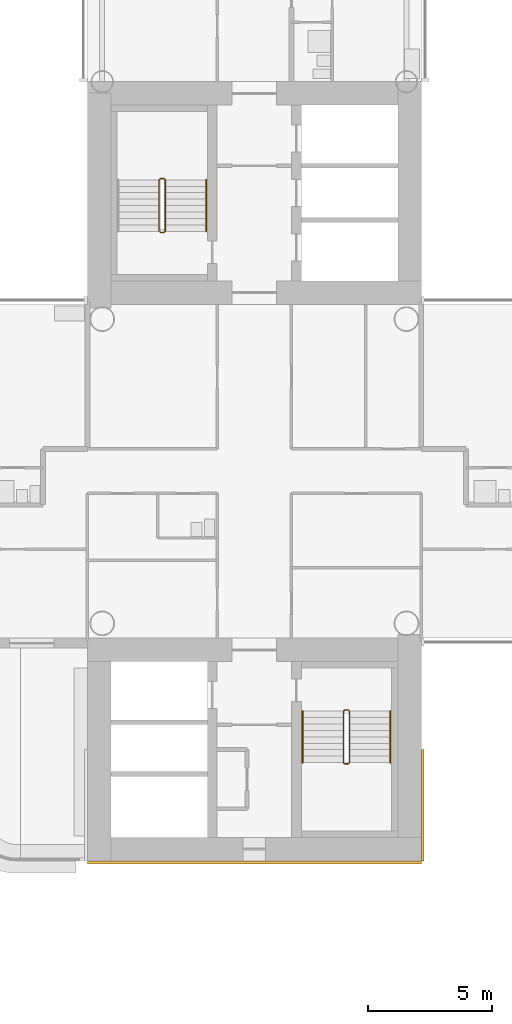
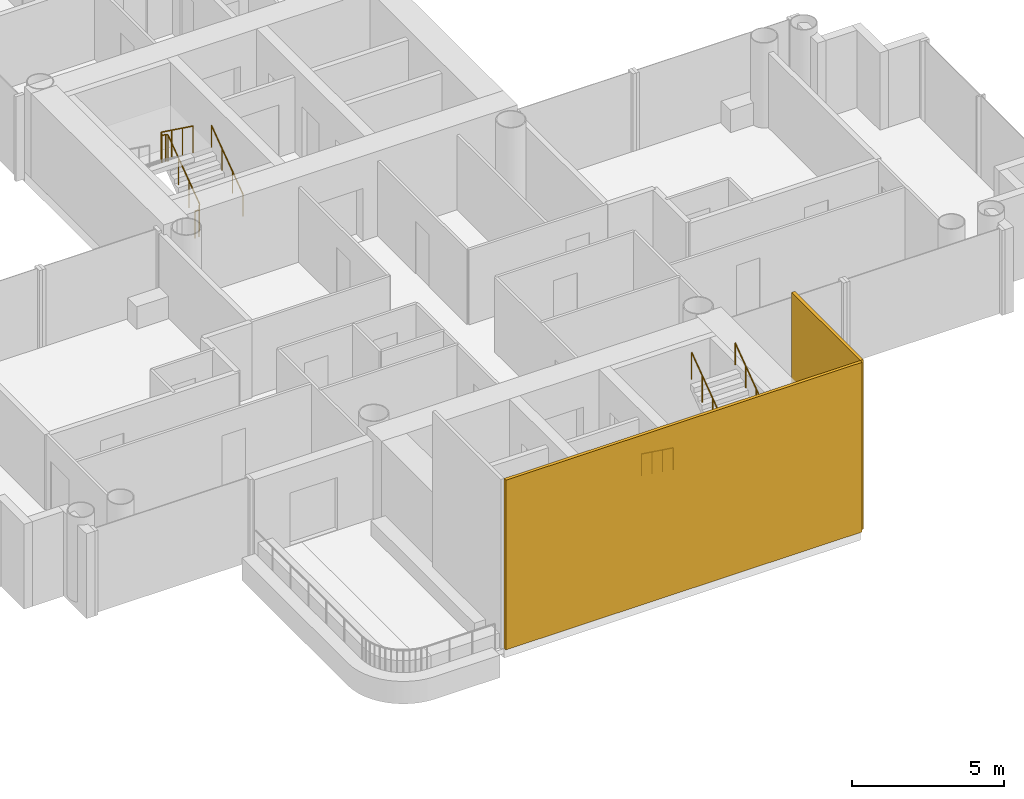
# One storey, part 20 of 21: 5 railings, 2 coverings.
"""IFC4 building model written with IfcOpenShell, lengths in metres."""

from ifc_helpers import new_model, si_unit, direction, frame, origin, origin_2d, place, context, subcontext, project, spatial, rectangle, circle, extrude, material, layer, layer_set, type_object, element, save


model = new_model("IFC4")

# Units and contexts
model_context = context("Model", 3, precision=1e-05, world=origin(), true_north=direction((0.0, 1.0)))
body_context = subcontext(model_context, "Body", "Model", "MODEL_VIEW")
ifc_project = project(units=[si_unit("LENGTHUNIT", "METRE"), si_unit("AREAUNIT", "SQUARE_METRE"), si_unit("VOLUMEUNIT", "CUBIC_METRE"), si_unit("PLANEANGLEUNIT", "RADIAN"), si_unit("MASSUNIT", "GRAM", prefix="KILO")], contexts=[model_context])

# Site, building, storey
site_placement = place(None, origin())
site = spatial("IfcSite", under=ifc_project, at=site_placement, CompositionType="ELEMENT")
building_placement = place(site_placement, origin())
building = spatial("IfcBuilding", under=site, at=building_placement, Name="Ipe Terrace Towers", CompositionType="ELEMENT")
storey_placement = place(building_placement, frame((0.0, 0.0, 83.39990234375)))
storey = spatial("IfcBuildingStorey", under=building, at=storey_placement, Name="L22", CompositionType="ELEMENT", Elevation=83.39990234375)

# Coverings
ifc_material_1 = material(Name="Concrete C50/60 precast, buff finish", Category="concrete")
ifc_layer = layer(ifc_material_1, 0.1201171875)
ifc_layer_set = layer_set([ifc_layer], Name="STONE CORE CLADDING 120")
covering_type = type_object("IfcCoveringType", Name="STONE CORE CLADDING 120", PredefinedType="CLADDING", material=ifc_layer_set)
covering_1_placement = place(storey_placement, frame((36.0, -15.81005859375, 0.0), z_axis=(0.0, 0.0, 1.0), x_axis=(1.0, 0.0, 0.0)))
element("IfcCovering", 1, at=covering_1_placement, inside=storey, type_object=covering_type, Name="stone core cladding", PredefinedType="CLADDING", context=body_context, shape_type="SweptSolid", body=[
    extrude(rectangle(XDim=13.5, YDim=0.1201171875, at=origin_2d()), origin(), (0.0, 0.0, 1.0), 6.800048828125),
])
covering_2_placement = place(storey_placement, frame((42.81005859375, -13.5, 0.0), z_axis=(0.0, 0.0, 1.0), x_axis=(0.0, 1.0, 0.0)))
element("IfcCovering", 2, at=covering_2_placement, inside=storey, type_object=covering_type, Name="stone core cladding", PredefinedType="CLADDING", context=body_context, shape_type="SweptSolid", body=[
    extrude(rectangle(XDim=4.5, YDim=0.1201171875, at=origin_2d()), origin(), (0.0, 0.0, 1.0), 6.800048828125),
])

# Railings
ifc_material_2 = material(Name="Steel S355", Category="steel")
railing_type_1 = type_object("IfcRailingType", Name="Stair guard 1100", PredefinedType="GUARDRAIL", material=ifc_material_2)
railing_1_placement = place(storey_placement, frame((32.199951171875, 9.64990234375, 0.0)))
element("IfcRailing", 3, at=railing_1_placement, inside=storey, type_object=railing_type_1, Name="L22 T2-ST1 stair guard 1", PredefinedType="GUARDRAIL", context=body_context, shape_type="SweptSolid", body=[
    extrude(circle(Radius=0.02392578125, at=origin_2d()), frame((0.0, 0.0, 1.076171875), z_axis=(1.0, 0.0, 0.0), x_axis=(0.0, 1.0, 0.0)), (0.0, 0.0, 1.0), 0.150146484375),
    extrude(circle(Radius=0.02392578125, at=origin_2d()), frame((0.150146484375, 0.0, 1.076171875), z_axis=(0.246893586699, 0.248103849378, 0.936743314239), x_axis=(-0.708833529934, 0.705375805398, 0.0)), (0.0, 0.0, 1.0), 0.20166015625),
    extrude(circle(Radius=0.02392578125, at=origin_2d()), frame((0.199951171875, 0.050048828125, 1.26513671875), z_axis=(0.0, 0.809023421508, 0.587776406001), x_axis=(-1.0, 0.0, 0.0)), (0.0, 0.0, 1.0), 2.571044921875),
    extrude(circle(Radius=0.02392578125, at=origin_2d()), frame((0.199951171875, 2.130126953125, 2.7763671875), z_axis=(-0.705375805398, 0.708833529934, 0.0), x_axis=(-0.708833529934, -0.705375805398, 0.0)), (0.0, 0.0, 1.0), 0.070556640625),
    extrude(circle(Radius=0.02392578125, at=origin_2d()), frame((0.150146484375, 2.18017578125, 2.7763671875), z_axis=(-1.0, 0.0, 0.0), x_axis=(0.0, -1.0, 0.0)), (0.0, 0.0, 1.0), 0.150146484375),
    extrude(circle(Radius=0.02392578125, at=origin_2d()), frame((0.0, 2.18017578125, 2.7763671875), z_axis=(-0.248310886586, -0.248310886586, 0.936313733321), x_axis=(0.707106781187, -0.707106781187, 0.0)), (0.0, 0.0, 1.0), 0.20166015625),
    extrude(circle(Radius=0.02392578125, at=origin_2d()), frame((-0.050048828125, 2.130126953125, 2.96484375), z_axis=(0.0, -0.809023421508, 0.587776406001), x_axis=(1.0, 0.0, 0.0)), (0.0, 0.0, 1.0), 2.571044921875),
    extrude(circle(Radius=0.02099609375, at=origin_2d()), origin(), (0.0, 0.0, 1.0), 1.052001953125),
    extrude(circle(Radius=0.02099609375, at=origin_2d()), frame((0.150146484375, 0.0, 0.0)), (0.0, 0.0, 1.0), 1.052001953125),
    extrude(circle(Radius=0.02099609375, at=origin_2d()), frame((0.199951171875, 0.050048828125, 0.18896484375)), (0.0, 0.0, 1.0), 1.052001953125),
    extrude(circle(Radius=0.02099609375, at=origin_2d()), frame((0.199951171875, 0.743408203125, 0.692626953125)), (0.0, 0.0, 1.0), 1.052001953125),
    extrude(circle(Radius=0.02099609375, at=origin_2d()), frame((0.199951171875, 1.436767578125, 1.196533203125)), (0.0, 0.0, 1.0), 1.052001953125),
    extrude(circle(Radius=0.02099609375, at=origin_2d()), frame((0.199951171875, 2.130126953125, 1.7001953125)), (0.0, 0.0, 1.0), 1.052001953125),
    extrude(circle(Radius=0.02099609375, at=origin_2d()), frame((0.150146484375, 2.18017578125, 1.7001953125)), (0.0, 0.0, 1.0), 1.052001953125),
    extrude(circle(Radius=0.02099609375, at=origin_2d()), frame((0.0, 2.18017578125, 1.7001953125)), (0.0, 0.0, 1.0), 1.052001953125),
    extrude(circle(Radius=0.02099609375, at=origin_2d()), frame((-0.050048828125, 2.130126953125, 1.888916015625)), (0.0, 0.0, 1.0), 1.052001953125),
    extrude(circle(Radius=0.02099609375, at=origin_2d()), frame((-0.050048828125, 1.436767578125, 2.392578125)), (0.0, 0.0, 1.0), 1.052001953125),
    extrude(circle(Radius=0.02099609375, at=origin_2d()), frame((-0.050048828125, 0.743408203125, 2.896484375)), (0.0, 0.0, 1.0), 1.052001953125),
    extrude(circle(Radius=0.02099609375, at=origin_2d()), frame((-0.050048828125, 0.050048828125, 3.400146484375)), (0.0, 0.0, 1.0), 1.052001953125),
])
railing_2_placement = place(storey_placement, frame((39.800048828125, -9.64990234375, 0.0)))
element("IfcRailing", 4, at=railing_2_placement, inside=storey, type_object=railing_type_1, Name="L22 T2-ST2 stair guard 1", PredefinedType="GUARDRAIL", context=body_context, shape_type="SweptSolid", body=[
    extrude(circle(Radius=0.02392578125, at=origin_2d()), frame((0.0, 0.0, 1.076171875), z_axis=(-1.0, 0.0, 0.0), x_axis=(0.0, -1.0, 0.0)), (0.0, 0.0, 1.0), 0.150146484375),
    extrude(circle(Radius=0.02392578125, at=origin_2d()), frame((-0.150146484375, 0.0, 1.076171875), z_axis=(-0.246893586699, -0.248103849378, 0.936743314239), x_axis=(0.708833529934, -0.705375805398, 0.0)), (0.0, 0.0, 1.0), 0.20166015625),
    extrude(circle(Radius=0.02392578125, at=origin_2d()), frame((-0.199951171875, -0.050048828125, 1.26513671875), z_axis=(0.0, -0.809023421508, 0.587776406001), x_axis=(1.0, 0.0, 0.0)), (0.0, 0.0, 1.0), 2.571044921875),
    extrude(circle(Radius=0.02392578125, at=origin_2d()), frame((-0.199951171875, -2.130126953125, 2.7763671875), z_axis=(0.705375805398, -0.708833529934, 0.0), x_axis=(0.708833529934, 0.705375805398, 0.0)), (0.0, 0.0, 1.0), 0.070556640625),
    extrude(circle(Radius=0.02392578125, at=origin_2d()), frame((-0.150146484375, -2.18017578125, 2.7763671875), z_axis=(1.0, 0.0, 0.0), x_axis=(0.0, 1.0, 0.0)), (0.0, 0.0, 1.0), 0.150146484375),
    extrude(circle(Radius=0.02392578125, at=origin_2d()), frame((0.0, -2.18017578125, 2.7763671875), z_axis=(0.248310886586, 0.248310886586, 0.936313733321), x_axis=(-0.707106781187, 0.707106781187, 0.0)), (0.0, 0.0, 1.0), 0.20166015625),
    extrude(circle(Radius=0.02392578125, at=origin_2d()), frame((0.050048828125, -2.130126953125, 2.96484375), z_axis=(0.0, 0.809023421508, 0.587776406001), x_axis=(-1.0, 0.0, 0.0)), (0.0, 0.0, 1.0), 2.571044921875),
    extrude(circle(Radius=0.02099609375, at=origin_2d()), origin(), (0.0, 0.0, 1.0), 1.052001953125),
    extrude(circle(Radius=0.02099609375, at=origin_2d()), frame((-0.150146484375, 0.0, 0.0)), (0.0, 0.0, 1.0), 1.052001953125),
    extrude(circle(Radius=0.02099609375, at=origin_2d()), frame((-0.199951171875, -0.050048828125, 0.18896484375)), (0.0, 0.0, 1.0), 1.052001953125),
    extrude(circle(Radius=0.02099609375, at=origin_2d()), frame((-0.199951171875, -0.743408203125, 0.692626953125)), (0.0, 0.0, 1.0), 1.052001953125),
    extrude(circle(Radius=0.02099609375, at=origin_2d()), frame((-0.199951171875, -1.436767578125, 1.196533203125)), (0.0, 0.0, 1.0), 1.052001953125),
    extrude(circle(Radius=0.02099609375, at=origin_2d()), frame((-0.199951171875, -2.130126953125, 1.7001953125)), (0.0, 0.0, 1.0), 1.052001953125),
    extrude(circle(Radius=0.02099609375, at=origin_2d()), frame((-0.150146484375, -2.18017578125, 1.7001953125)), (0.0, 0.0, 1.0), 1.052001953125),
    extrude(circle(Radius=0.02099609375, at=origin_2d()), frame((0.0, -2.18017578125, 1.7001953125)), (0.0, 0.0, 1.0), 1.052001953125),
    extrude(circle(Radius=0.02099609375, at=origin_2d()), frame((0.050048828125, -2.130126953125, 1.888916015625)), (0.0, 0.0, 1.0), 1.052001953125),
    extrude(circle(Radius=0.02099609375, at=origin_2d()), frame((0.050048828125, -1.436767578125, 2.392578125)), (0.0, 0.0, 1.0), 1.052001953125),
    extrude(circle(Radius=0.02099609375, at=origin_2d()), frame((0.050048828125, -0.743408203125, 2.896484375)), (0.0, 0.0, 1.0), 1.052001953125),
    extrude(circle(Radius=0.02099609375, at=origin_2d()), frame((0.050048828125, -0.050048828125, 3.400146484375)), (0.0, 0.0, 1.0), 1.052001953125),
])
ifc_material_3 = material(Name="Stainless steel grade 304", Category="steel")
railing_type_2 = type_object("IfcRailingType", Name="Stair handrail 900", PredefinedType="HANDRAIL", material=ifc_material_3)
railing_3_placement = place(storey_placement, frame((34.050048828125, 9.699951171875, 0.18896484375)))
element("IfcRailing", 5, at=railing_3_placement, inside=storey, type_object=railing_type_2, Name="L22 T2-ST1 stair handrail 1", PredefinedType="HANDRAIL", context=body_context, shape_type="SweptSolid", body=[
    extrude(circle(Radius=0.02392578125, at=origin_2d()), frame((0.0, 0.0, 0.8759765625), z_axis=(0.0, 0.809023421508, 0.587776406001), x_axis=(-1.0, 0.0, 0.0)), (0.0, 0.0, 1.0), 2.571044921875),
    extrude(circle(Radius=0.02099609375, at=origin_2d()), origin(), (0.0, 0.0, 1.0), 0.851806640625),
    extrude(circle(Radius=0.02099609375, at=origin_2d()), frame((0.0, 0.693359375, 0.503662109375)), (0.0, 0.0, 1.0), 0.851806640625),
    extrude(circle(Radius=0.02099609375, at=origin_2d()), frame((0.0, 1.38671875, 1.007568359375)), (0.0, 0.0, 1.0), 0.851806640625),
    extrude(circle(Radius=0.02099609375, at=origin_2d()), frame((0.0, 2.080078125, 1.51123046875)), (0.0, 0.0, 1.0), 0.851806640625),
])
railing_4_placement = place(storey_placement, frame((37.949951171875, -9.699951171875, 0.18896484375)))
element("IfcRailing", 6, at=railing_4_placement, inside=storey, type_object=railing_type_2, Name="L22 T2-ST2 stair handrail 1", PredefinedType="HANDRAIL", context=body_context, shape_type="SweptSolid", body=[
    extrude(circle(Radius=0.02392578125, at=origin_2d()), frame((0.0, 0.0, 0.8759765625), z_axis=(0.0, -0.809023421508, 0.587776406001), x_axis=(1.0, 0.0, 0.0)), (0.0, 0.0, 1.0), 2.571044921875),
    extrude(circle(Radius=0.02099609375, at=origin_2d()), origin(), (0.0, 0.0, 1.0), 0.851806640625),
    extrude(circle(Radius=0.02099609375, at=origin_2d()), frame((0.0, -0.693359375, 0.503662109375)), (0.0, 0.0, 1.0), 0.851806640625),
    extrude(circle(Radius=0.02099609375, at=origin_2d()), frame((0.0, -1.38671875, 1.007568359375)), (0.0, 0.0, 1.0), 0.851806640625),
    extrude(circle(Radius=0.02099609375, at=origin_2d()), frame((0.0, -2.080078125, 1.51123046875)), (0.0, 0.0, 1.0), 0.851806640625),
])
railing_5_placement = place(storey_placement, frame((41.5, -11.780029296875, 1.888916015625)))
element("IfcRailing", 7, at=railing_5_placement, inside=storey, type_object=railing_type_2, Name="L22 T2-ST2 stair handrail 2", PredefinedType="HANDRAIL", context=body_context, shape_type="SweptSolid", body=[
    extrude(circle(Radius=0.02392578125, at=origin_2d()), frame((0.0, 0.0, 0.8759765625), z_axis=(0.0, 0.809023421508, 0.587776406001), x_axis=(-1.0, 0.0, 0.0)), (0.0, 0.0, 1.0), 2.571044921875),
    extrude(circle(Radius=0.02099609375, at=origin_2d()), origin(), (0.0, 0.0, 1.0), 0.851806640625),
    extrude(circle(Radius=0.02099609375, at=origin_2d()), frame((0.0, 0.693359375, 0.503662109375)), (0.0, 0.0, 1.0), 0.851806640625),
    extrude(circle(Radius=0.02099609375, at=origin_2d()), frame((0.0, 1.38671875, 1.007568359375)), (0.0, 0.0, 1.0), 0.851806640625),
    extrude(circle(Radius=0.02099609375, at=origin_2d()), frame((0.0, 2.080078125, 1.51123046875)), (0.0, 0.0, 1.0), 0.851806640625),
])

save(model, "model.ifc")
